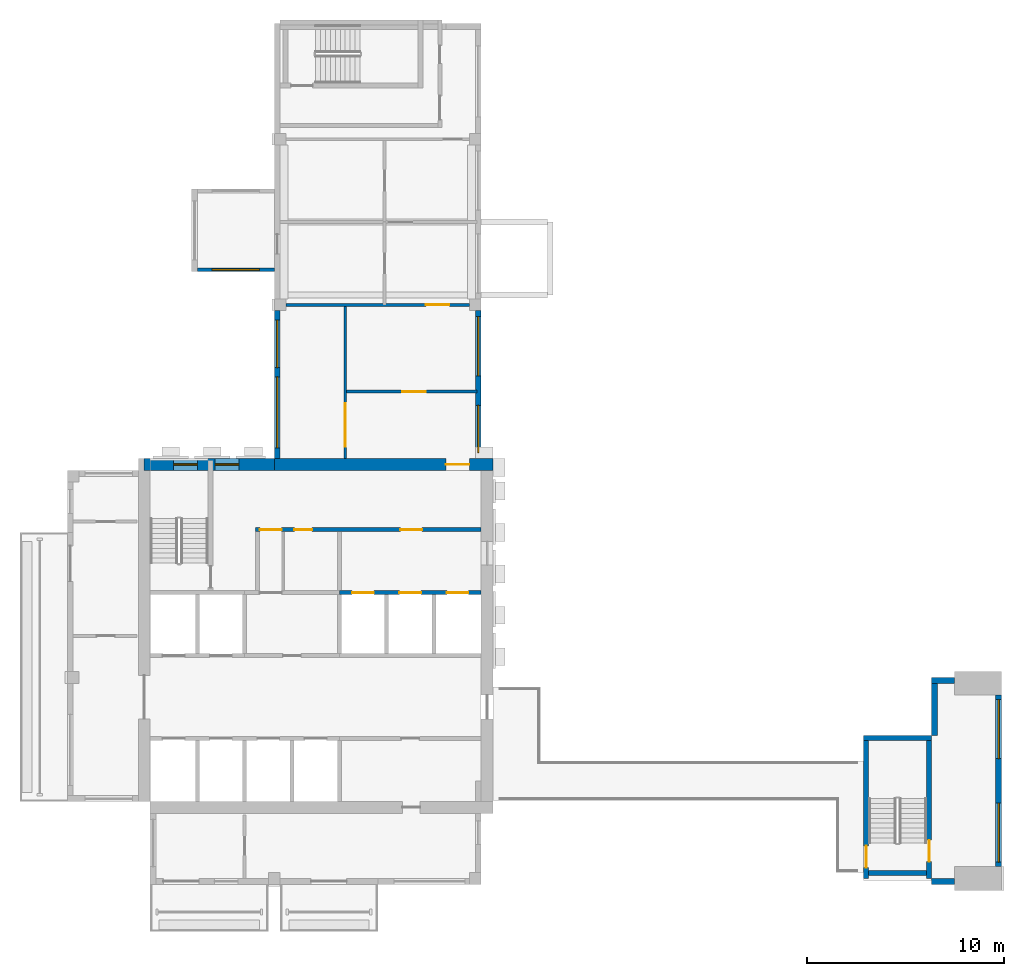
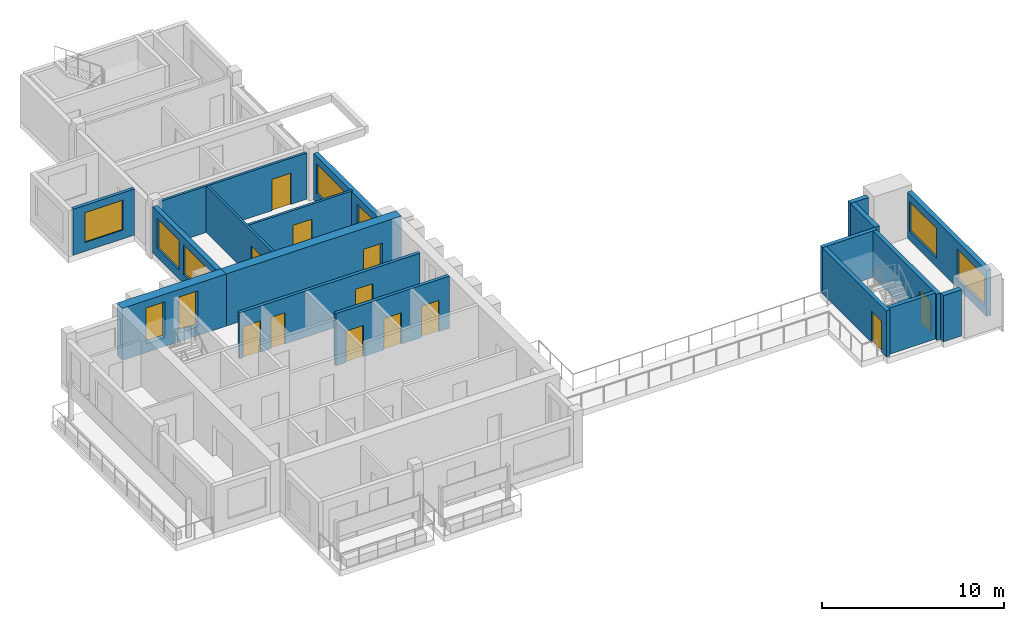
# One storey, part 3 of 8: 18 walls, 12 doors, 9 windows, 21 openings.
"""IFC4 building model written with IfcOpenShell, lengths in metres."""

from ifc_helpers import new_model, si_unit, direction, frame, frame_2d, origin, place, context, subcontext, project, spatial, rectangle, extrude, source, transform, mapped, material, layer, layer_set, type_object, element, fill, save


model = new_model("IFC4")

# Units and contexts
model_context = context("Model", 3, precision=1e-05, world=origin(), true_north=direction((0.0, 1.0)))
body_context = subcontext(model_context, "Body", "Model", "MODEL_VIEW")
ifc_project = project(units=[si_unit("LENGTHUNIT", "METRE"), si_unit("AREAUNIT", "SQUARE_METRE"), si_unit("VOLUMEUNIT", "CUBIC_METRE"), si_unit("PLANEANGLEUNIT", "RADIAN"), si_unit("MASSUNIT", "GRAM", prefix="KILO")], contexts=[model_context])

# Site, building, storey
site_placement = place(None, origin())
site = spatial("IfcSite", under=ifc_project, at=site_placement, CompositionType="ELEMENT")
building_placement = place(site_placement, origin())
building = spatial("IfcBuilding", under=site, at=building_placement, Name="Aurelian Terraces", CompositionType="ELEMENT")
storey_placement = place(building_placement, frame((0.0, 0.0, 347.5)))
storey = spatial("IfcBuildingStorey", under=building, at=storey_placement, Name="L82", CompositionType="ELEMENT", Elevation=347.5)

# Wall, opening, door
ifc_material_1 = material(Name="Concrete fc' 55 MPa", Category="concrete")
ifc_layer_1 = layer(ifc_material_1, 0.6)
ifc_layer_set_1 = layer_set([ifc_layer_1], Name="CORE WALL 600 FC55")
wall_type_1 = type_object("IfcWallType", Name="CORE WALL 600 FC55", PredefinedType="SHEAR", material=ifc_layer_set_1)
shared_shape_1 = source(origin(), body_context, "Body", "SweptSolid", [
    extrude(rectangle(XDim=11.1, YDim=0.6, at=frame_2d((5.55, 0.0))), origin(), (0.0, 0.0, 1.0), 3.5),
])
wall_1_placement = place(storey_placement, frame((10.5, 21.3, 0.0), z_axis=(0.0, 0.0, 1.0), x_axis=(1.0, 0.0, 0.0)))
wall_1 = element("IfcWall", 1, at=wall_1_placement, inside=storey, type_object=wall_type_1, Name="Core wall N L82", PredefinedType="SHEAR", context=body_context, shape_type="MappedRepresentation", body=[
    mapped(shared_shape_1, transform((0.0, 0.0, 0.0), scale=1.0)),
])
shared_shape_2 = source(origin(), body_context, "Body", "SweptSolid", [
    extrude(rectangle(XDim=1.2, YDim=2.1, at=frame_2d((0.6, 1.05))), frame((0.0, 0.31, 0.0), z_axis=(0.0, -1.0, 0.0), x_axis=(1.0, 0.0, 0.0)), (0.0, 0.0, 1.0), 0.62),
])
opening_1_placement = place(wall_1_placement, frame((8.7, 0.0, 0.0)))
opening_1 = element("IfcOpeningElement", 2, at=opening_1_placement, cuts=wall_1, Name="Opening 68522", PredefinedType="OPENING", context=body_context, shape_type="MappedRepresentation", body=[
    mapped(shared_shape_2, transform((0.0, 0.0, 0.0), scale=1.0)),
])
ifc_material_2 = material(Name="Steel door leaf", Category="steel")
door_type_1 = type_object("IfcDoorType", Name="Core fire door 1200x2100", OperationType="SINGLE_SWING_LEFT", PredefinedType="DOOR", material=ifc_material_2)
shared_shape_3 = source(origin(), body_context, "Body", "SweptSolid", [
    extrude(rectangle(XDim=1.2, YDim=2.1, at=frame_2d((0.6, 1.05))), frame((0.0, 0.025, 0.0), z_axis=(0.0, -1.0, 0.0), x_axis=(1.0, 0.0, 0.0)), (0.0, 0.0, 1.0), 0.05),
])
door_1_placement = place(opening_1_placement, origin())
door_1 = element("IfcDoor", 3, at=door_1_placement, inside=storey, type_object=door_type_1, Name="Core door 68522", OperationType="SINGLE_SWING_LEFT", OverallHeight=2.1, OverallWidth=1.2, PredefinedType="DOOR", context=body_context, shape_type="MappedRepresentation", body=[
    mapped(shared_shape_3, transform((0.0, 0.0, 0.0), scale=1.0)),
])
fill(opening_1, door_1)

# Wall, openings, windows
shared_shape_4 = source(origin(), body_context, "Body", "SweptSolid", [
    extrude(rectangle(XDim=6.6, YDim=0.6, at=frame_2d((3.3, 0.0))), origin(), (0.0, 0.0, 1.0), 3.5),
])
wall_2_placement = place(storey_placement, frame((3.9, 21.3, 0.0), z_axis=(0.0, 0.0, 1.0), x_axis=(1.0, 0.0, 0.0)))
wall_2 = element("IfcWall", 4, at=wall_2_placement, inside=storey, type_object=wall_type_1, Name="Core wall N L82 exposed", PredefinedType="SHEAR", context=body_context, shape_type="MappedRepresentation", body=[
    mapped(shared_shape_4, transform((0.0, 0.0, 0.0), scale=1.0)),
])
shared_shape_5 = source(origin(), body_context, "Body", "SweptSolid", [
    extrude(rectangle(XDim=1.2, YDim=2.4, at=frame_2d((0.6, 1.2))), frame((0.0, 0.31, 0.0), z_axis=(0.0, -1.0, 0.0), x_axis=(1.0, 0.0, 0.0)), (0.0, 0.0, 1.0), 0.62),
])
opening_2_placement = place(wall_2_placement, frame((1.5, 0.0, 0.6)))
opening_2 = element("IfcOpeningElement", 5, at=opening_2_placement, cuts=wall_2, Name="Opening W-CL", PredefinedType="OPENING", context=body_context, shape_type="MappedRepresentation", body=[
    mapped(shared_shape_5, transform((0.0, 0.0, 0.0), scale=1.0)),
])
opening_3_placement = place(wall_2_placement, frame((3.6, 0.0, 0.6)))
opening_3 = element("IfcOpeningElement", 6, at=opening_3_placement, cuts=wall_2, Name="Opening W-CL", PredefinedType="OPENING", context=body_context, shape_type="MappedRepresentation", body=[
    mapped(shared_shape_5, transform((0.0, 0.0, 0.0), scale=1.0)),
])
ifc_material_3 = material(Name="Fire-resisting glazing", Category="glass")
window_type_1 = type_object("IfcWindowType", Name="Core lobby window 1200x2400", PartitioningType="SINGLE_PANEL", PredefinedType="WINDOW", material=ifc_material_3)
shared_shape_6 = source(origin(), body_context, "Body", "SweptSolid", [
    extrude(rectangle(XDim=1.2, YDim=2.4, at=frame_2d((0.6, 1.2))), frame((0.0, 0.03, 0.0), z_axis=(0.0, -1.0, 0.0), x_axis=(1.0, 0.0, 0.0)), (0.0, 0.0, 1.0), 0.06),
])
window_1_placement = place(opening_2_placement, origin())
window_1 = element("IfcWindow", 7, at=window_1_placement, inside=storey, type_object=window_type_1, Name="Lobby window L82 N56", OverallHeight=2.4, OverallWidth=1.2, PartitioningType="SINGLE_PANEL", PredefinedType="WINDOW", context=body_context, shape_type="MappedRepresentation", body=[
    mapped(shared_shape_6, transform((0.0, 0.0, 0.0), scale=1.0)),
])
fill(opening_2, window_1)
window_2_placement = place(opening_3_placement, origin())
window_2 = element("IfcWindow", 8, at=window_2_placement, inside=storey, type_object=window_type_1, Name="Lobby window L82 N57", OverallHeight=2.4, OverallWidth=1.2, PartitioningType="SINGLE_PANEL", PredefinedType="WINDOW", context=body_context, shape_type="MappedRepresentation", body=[
    mapped(shared_shape_6, transform((0.0, 0.0, 0.0), scale=1.0)),
])
fill(opening_3, window_2)

# Wall, opening, window
ifc_material_4 = material(Name="Concrete fc' 40 MPa", Category="concrete")
ifc_layer_2 = layer(ifc_material_4, 0.2)
ifc_layer_set_2 = layer_set([ifc_layer_2], Name="BOX BEARING WALL 200")
wall_type_2 = type_object("IfcWallType", Name="BOX BEARING WALL 200", PredefinedType="SOLIDWALL", material=ifc_layer_set_2)
shared_shape_7 = source(origin(), body_context, "Body", "SweptSolid", [
    extrude(rectangle(XDim=3.9, YDim=0.2, at=frame_2d((1.95, 0.0))), origin(), (0.0, 0.0, 1.0), 3.09),
])
wall_3_placement = place(storey_placement, frame((10.5, 31.18, 0.0), z_axis=(0.0, 0.0, 1.0), x_axis=(-1.0, 0.0, 0.0)))
wall_3 = element("IfcWall", 9, at=wall_3_placement, inside=storey, type_object=wall_type_2, Name="Box return L82 J95.2", PredefinedType="SOLIDWALL", context=body_context, shape_type="MappedRepresentation", body=[
    mapped(shared_shape_7, transform((0.0, 0.0, 0.0), scale=1.0)),
])
shared_shape_8 = source(origin(), body_context, "Body", "SweptSolid", [
    extrude(rectangle(XDim=2.4, YDim=2.0, at=frame_2d((1.2, 1.0))), frame((0.0, 0.11, 0.0), z_axis=(0.0, -1.0, 0.0), x_axis=(1.0, 0.0, 0.0)), (0.0, 0.0, 1.0), 0.22),
])
opening_4_placement = place(wall_3_placement, frame((0.75, 0.0, 0.6)))
opening_4 = element("IfcOpeningElement", 10, at=opening_4_placement, cuts=wall_3, Name="Opening W2420", PredefinedType="OPENING", context=body_context, shape_type="MappedRepresentation", body=[
    mapped(shared_shape_8, transform((0.0, 0.0, 0.0), scale=1.0)),
])
ifc_material_5 = material(Name="Clear glazing", Category="glass")
window_type_2 = type_object("IfcWindowType", Name="W-2400x2000", PartitioningType="SINGLE_PANEL", PredefinedType="WINDOW", material=ifc_material_5)
shared_shape_9 = source(origin(), body_context, "Body", "SweptSolid", [
    extrude(rectangle(XDim=2.4, YDim=2.0, at=frame_2d((1.2, 1.0))), frame((0.0, 0.03, 0.0), z_axis=(0.0, -1.0, 0.0), x_axis=(1.0, 0.0, 0.0)), (0.0, 0.0, 1.0), 0.06),
])
window_3_placement = place(opening_4_placement, origin())
window_3 = element("IfcWindow", 11, at=window_3_placement, inside=storey, type_object=window_type_2, Name="Window L82 J95-S2", OverallHeight=2.0, OverallWidth=2.4, PartitioningType="SINGLE_PANEL", PredefinedType="WINDOW", context=body_context, shape_type="MappedRepresentation", body=[
    mapped(shared_shape_9, transform((0.0, 0.0, 0.0), scale=1.0)),
])
fill(opening_4, window_3)

# Wall, openings, windows
ifc_material_6 = material(Name="Terracotta rainscreen cladding", Category="masonry")
ifc_layer_3 = layer(ifc_material_6, 0.3)
ifc_layer_set_3 = layer_set([ifc_layer_3], Name="EW-300")
wall_type_3 = type_object("IfcWallType", Name="EW-300", PredefinedType="STANDARD", material=ifc_layer_set_3)
shared_shape_10 = source(origin(), body_context, "Body", "SweptSolid", [
    extrude(rectangle(XDim=7.5, YDim=0.3, at=frame_2d((3.75, 0.0))), origin(), (0.0, 0.0, 1.0), 3.1),
])
wall_4_placement = place(storey_placement, frame((20.85, 21.6, 0.0), z_axis=(0.0, 0.0, 1.0), x_axis=(0.0, 1.0, 0.0)))
wall_4 = element("IfcWall", 12, at=wall_4_placement, inside=storey, type_object=wall_type_3, Name="External wall L82 F02.7", PredefinedType="STANDARD", context=body_context, shape_type="MappedRepresentation", body=[
    mapped(shared_shape_10, transform((0.0, 0.0, 0.0), scale=1.0)),
])
shared_shape_11 = source(origin(), body_context, "Body", "SweptSolid", [
    extrude(rectangle(XDim=2.4, YDim=2.0, at=frame_2d((1.2, 1.0))), frame((0.0, 0.16, 0.0), z_axis=(0.0, -1.0, 0.0), x_axis=(1.0, 0.0, 0.0)), (0.0, 0.0, 1.0), 0.32),
])
opening_5_placement = place(wall_4_placement, frame((0.3, 0.0, 0.6)))
opening_5 = element("IfcOpeningElement", 13, at=opening_5_placement, cuts=wall_4, Name="Opening W2420", PredefinedType="OPENING", context=body_context, shape_type="MappedRepresentation", body=[
    mapped(shared_shape_11, transform((0.0, 0.0, 0.0), scale=1.0)),
])
shared_shape_12 = source(origin(), body_context, "Body", "SweptSolid", [
    extrude(rectangle(XDim=3.0, YDim=2.0, at=frame_2d((1.5, 1.0))), frame((0.0, 0.16, 0.0), z_axis=(0.0, -1.0, 0.0), x_axis=(1.0, 0.0, 0.0)), (0.0, 0.0, 1.0), 0.32),
])
opening_6_placement = place(wall_4_placement, frame((4.2, 0.0, 0.6)))
opening_6 = element("IfcOpeningElement", 14, at=opening_6_placement, cuts=wall_4, Name="Opening W3020", PredefinedType="OPENING", context=body_context, shape_type="MappedRepresentation", body=[
    mapped(shared_shape_12, transform((0.0, 0.0, 0.0), scale=1.0)),
])
window_type_3 = type_object("IfcWindowType", Name="W-3000x2000", PartitioningType="SINGLE_PANEL", PredefinedType="WINDOW", material=ifc_material_5)
shared_shape_13 = source(origin(), body_context, "Body", "SweptSolid", [
    extrude(rectangle(XDim=3.0, YDim=2.0, at=frame_2d((1.5, 1.0))), frame((0.0, 0.03, 0.0), z_axis=(0.0, -1.0, 0.0), x_axis=(1.0, 0.0, 0.0)), (0.0, 0.0, 1.0), 0.06),
])
window_4_placement = place(opening_6_placement, origin())
window_4 = element("IfcWindow", 15, at=window_4_placement, inside=storey, type_object=window_type_3, Name="Window L82 L82-F02-07-1", OverallHeight=2.0, OverallWidth=3.0, PartitioningType="SINGLE_PANEL", PredefinedType="WINDOW", context=body_context, shape_type="MappedRepresentation", body=[
    mapped(shared_shape_13, transform((0.0, 0.0, 0.0), scale=1.0)),
])
fill(opening_6, window_4)
window_5_placement = place(opening_5_placement, origin())
window_5 = element("IfcWindow", 16, at=window_5_placement, inside=storey, type_object=window_type_2, Name="Window L82 L82-F02-07-0", OverallHeight=2.0, OverallWidth=2.4, PartitioningType="SINGLE_PANEL", PredefinedType="WINDOW", context=body_context, shape_type="MappedRepresentation", body=[
    mapped(shared_shape_9, transform((0.0, 0.0, 0.0), scale=1.0)),
])
fill(opening_5, window_5)

wall_5_placement = place(storey_placement, frame((10.65, 29.1, 0.0), z_axis=(0.0, 0.0, 1.0), x_axis=(0.0, -1.0, 0.0)))
wall_5 = element("IfcWall", 17, at=wall_5_placement, inside=storey, type_object=wall_type_3, Name="External wall L82 F04.11", PredefinedType="STANDARD", context=body_context, shape_type="MappedRepresentation", body=[
    mapped(shared_shape_10, transform((0.0, 0.0, 0.0), scale=1.0)),
])
shared_shape_14 = source(origin(), body_context, "Body", "SweptSolid", [
    extrude(rectangle(XDim=3.6, YDim=2.0, at=frame_2d((1.8, 1.0))), frame((0.0, 0.16, 0.0), z_axis=(0.0, -1.0, 0.0), x_axis=(1.0, 0.0, 0.0)), (0.0, 0.0, 1.0), 0.32),
])
opening_7_placement = place(wall_5_placement, frame((3.36, 0.0, 0.6)))
opening_7 = element("IfcOpeningElement", 18, at=opening_7_placement, cuts=wall_5, Name="Opening W3620", PredefinedType="OPENING", context=body_context, shape_type="MappedRepresentation", body=[
    mapped(shared_shape_14, transform((0.0, 0.0, 0.0), scale=1.0)),
])
opening_8_placement = place(wall_5_placement, frame((0.48, 0.0, 0.6)))
opening_8 = element("IfcOpeningElement", 19, at=opening_8_placement, cuts=wall_5, Name="Opening W2420", PredefinedType="OPENING", context=body_context, shape_type="MappedRepresentation", body=[
    mapped(shared_shape_11, transform((0.0, 0.0, 0.0), scale=1.0)),
])
window_6_placement = place(opening_8_placement, origin())
window_6 = element("IfcWindow", 20, at=window_6_placement, inside=storey, type_object=window_type_2, Name="Window L82 L82-F04-11-G2-146", OverallHeight=2.0, OverallWidth=2.4, PartitioningType="SINGLE_PANEL", PredefinedType="WINDOW", context=body_context, shape_type="MappedRepresentation", body=[
    mapped(shared_shape_9, transform((0.0, 0.0, 0.0), scale=1.0)),
])
fill(opening_8, window_6)
window_type_4 = type_object("IfcWindowType", Name="W-3600x2000", PartitioningType="SINGLE_PANEL", PredefinedType="WINDOW", material=ifc_material_5)
shared_shape_15 = source(origin(), body_context, "Body", "SweptSolid", [
    extrude(rectangle(XDim=3.6, YDim=2.0, at=frame_2d((1.8, 1.0))), frame((0.0, 0.03, 0.0), z_axis=(0.0, -1.0, 0.0), x_axis=(1.0, 0.0, 0.0)), (0.0, 0.0, 1.0), 0.06),
])
window_7_placement = place(opening_7_placement, origin())
window_7 = element("IfcWindow", 21, at=window_7_placement, inside=storey, type_object=window_type_4, Name="Window L82 L82-F04-11-4", OverallHeight=2.0, OverallWidth=3.6, PartitioningType="SINGLE_PANEL", PredefinedType="WINDOW", context=body_context, shape_type="MappedRepresentation", body=[
    mapped(shared_shape_15, transform((0.0, 0.0, 0.0), scale=1.0)),
])
fill(opening_7, window_7)

shared_shape_16 = source(origin(), body_context, "Body", "SweptSolid", [
    extrude(rectangle(XDim=8.7, YDim=0.3, at=frame_2d((4.35, 0.0))), origin(), (0.0, 0.0, 1.0), 3.1),
])
wall_6_placement = place(storey_placement, frame((47.25, 0.9, 0.0), z_axis=(0.0, 0.0, 1.0), x_axis=(0.0, 1.0, 0.0)))
wall_6 = element("IfcWall", 22, at=wall_6_placement, inside=storey, type_object=wall_type_3, Name="External wall L82 F14.23", PredefinedType="STANDARD", context=body_context, shape_type="MappedRepresentation", body=[
    mapped(shared_shape_16, transform((0.0, 0.0, 0.0), scale=1.0)),
])
opening_9_placement = place(wall_6_placement, frame((0.225, 0.0, 0.6)))
opening_9 = element("IfcOpeningElement", 23, at=opening_9_placement, cuts=wall_6, Name="Opening W3020", PredefinedType="OPENING", context=body_context, shape_type="MappedRepresentation", body=[
    mapped(shared_shape_12, transform((0.0, 0.0, 0.0), scale=1.0)),
])
opening_10_placement = place(wall_6_placement, frame((5.475, 0.0, 0.6)))
opening_10 = element("IfcOpeningElement", 24, at=opening_10_placement, cuts=wall_6, Name="Opening W3020", PredefinedType="OPENING", context=body_context, shape_type="MappedRepresentation", body=[
    mapped(shared_shape_12, transform((0.0, 0.0, 0.0), scale=1.0)),
])
window_8_placement = place(opening_9_placement, origin())
window_8 = element("IfcWindow", 25, at=window_8_placement, inside=storey, type_object=window_type_3, Name="Window L82 L82-F14-23-0", OverallHeight=2.0, OverallWidth=3.0, PartitioningType="SINGLE_PANEL", PredefinedType="WINDOW", context=body_context, shape_type="MappedRepresentation", body=[
    mapped(shared_shape_13, transform((0.0, 0.0, 0.0), scale=1.0)),
])
fill(opening_9, window_8)
window_9_placement = place(opening_10_placement, origin())
window_9 = element("IfcWindow", 26, at=window_9_placement, inside=storey, type_object=window_type_3, Name="Window L82 L82-F14-23-1", OverallHeight=2.0, OverallWidth=3.0, PartitioningType="SINGLE_PANEL", PredefinedType="WINDOW", context=body_context, shape_type="MappedRepresentation", body=[
    mapped(shared_shape_13, transform((0.0, 0.0, 0.0), scale=1.0)),
])
fill(opening_10, window_9)

# Walls
shared_shape_17 = source(origin(), body_context, "Body", "SweptSolid", [
    extrude(rectangle(XDim=1.15, YDim=0.3, at=frame_2d((0.575, 0.0))), origin(), (0.0, 0.0, 1.0), 3.1),
])
for number, where, z_axis, x_axis, name in (
    (27, (43.85, 0.15, 0.0), (0.0, 0.0, 1.0), (1.0, 0.0, 0.0), "External wall L82 F13.21"),
    (28, (45.0, 10.35, 0.0), (0.0, 0.0, 1.0), (-1.0, 0.0, 0.0), "External wall L82 F15.24"),
):
    element("IfcWall", number, at=place(storey_placement, frame(where, z_axis=z_axis, x_axis=x_axis)), inside=storey, type_object=wall_type_3, Name=name, PredefinedType="STANDARD", context=body_context, shape_type="MappedRepresentation", body=[
        mapped(shared_shape_17, transform((0.0, 0.0, 0.0), scale=1.0)),
    ])
shared_shape_18 = source(origin(), body_context, "Body", "SweptSolid", [
    extrude(rectangle(XDim=2.95, YDim=0.3, at=frame_2d((1.475, 0.0))), origin(), (0.0, 0.0, 1.0), 3.1),
])
wall_7_placement = place(storey_placement, frame((44.0, 10.5, 0.0), z_axis=(0.0, 0.0, 1.0), x_axis=(0.0, -1.0, 0.0)))
element("IfcWall", 29, at=wall_7_placement, inside=storey, type_object=wall_type_3, Name="External wall L82 F16.25", PredefinedType="STANDARD", context=body_context, shape_type="MappedRepresentation", body=[
    mapped(shared_shape_18, transform((0.0, 0.0, 0.0), scale=1.0)),
])

# Wall, openings, doors
ifc_layer_4 = layer(ifc_material_4, 0.2)
ifc_layer_set_4 = layer_set([ifc_layer_4], Name="Lift shaft wall 200")
wall_type_4 = type_object("IfcWallType", Name="Lift shaft wall 200", PredefinedType="SOLIDWALL", material=ifc_layer_set_4)
shared_shape_19 = source(origin(), body_context, "Body", "SweptSolid", [
    extrude(rectangle(XDim=7.2, YDim=0.2, at=frame_2d((3.6, 0.0))), origin(), (0.0, 0.0, 1.0), 3.5),
])
wall_8_placement = place(storey_placement, frame((13.8, 14.8, 0.0), z_axis=(0.0, 0.0, 1.0), x_axis=(1.0, 0.0, 0.0)))
wall_8 = element("IfcWall", 30, at=wall_8_placement, inside=storey, type_object=wall_type_4, Name="L82 core wall CF-BB3", PredefinedType="SOLIDWALL", context=body_context, shape_type="MappedRepresentation", body=[
    mapped(shared_shape_19, transform((0.0, 0.0, 0.0), scale=1.0)),
])
shared_shape_20 = source(origin(), body_context, "Body", "SweptSolid", [
    extrude(rectangle(XDim=1.1, YDim=2.1, at=frame_2d((0.55, 1.05))), frame((0.0, 0.11, 0.0), z_axis=(0.0, -1.0, 0.0), x_axis=(1.0, 0.0, 0.0)), (0.0, 0.0, 1.0), 0.22),
])
opening_11_placement = place(wall_8_placement, frame((0.65, 0.0, 0.0)))
opening_11 = element("IfcOpeningElement", 31, at=opening_11_placement, cuts=wall_8, Name="Opening 68509", PredefinedType="OPENING", context=body_context, shape_type="MappedRepresentation", body=[
    mapped(shared_shape_20, transform((0.0, 0.0, 0.0), scale=1.0)),
])
opening_12_placement = place(wall_8_placement, frame((3.05, 0.0, 0.0)))
opening_12 = element("IfcOpeningElement", 32, at=opening_12_placement, cuts=wall_8, Name="Opening 68510", PredefinedType="OPENING", context=body_context, shape_type="MappedRepresentation", body=[
    mapped(shared_shape_20, transform((0.0, 0.0, 0.0), scale=1.0)),
])
opening_13_placement = place(wall_8_placement, frame((5.45, 0.0, 0.0)))
opening_13 = element("IfcOpeningElement", 33, at=opening_13_placement, cuts=wall_8, Name="Opening 68511", PredefinedType="OPENING", context=body_context, shape_type="MappedRepresentation", body=[
    mapped(shared_shape_20, transform((0.0, 0.0, 0.0), scale=1.0)),
])
ifc_material_7 = material(Name="Stainless steel", Category="steel")
door_type_2 = type_object("IfcDoorType", Name="Lift landing door 1100x2100", OperationType="SLIDING_TO_LEFT", PredefinedType="DOOR", material=ifc_material_7)
shared_shape_21 = source(origin(), body_context, "Body", "SweptSolid", [
    extrude(rectangle(XDim=1.1, YDim=2.1, at=frame_2d((0.55, 1.05))), frame((0.0, 0.025, 0.0), z_axis=(0.0, -1.0, 0.0), x_axis=(1.0, 0.0, 0.0)), (0.0, 0.0, 1.0), 0.05),
])
door_2_placement = place(opening_11_placement, origin())
door_2 = element("IfcDoor", 34, at=door_2_placement, inside=storey, type_object=door_type_2, Name="Lift landing door F1 L82", OperationType="SLIDING_TO_LEFT", OverallHeight=2.1, OverallWidth=1.1, PredefinedType="DOOR", context=body_context, shape_type="MappedRepresentation", body=[
    mapped(shared_shape_21, transform((0.0, 0.0, 0.0), scale=1.0)),
])
fill(opening_11, door_2)
door_3_placement = place(opening_12_placement, origin())
door_3 = element("IfcDoor", 35, at=door_3_placement, inside=storey, type_object=door_type_2, Name="Lift landing door F2 L82", OperationType="SLIDING_TO_LEFT", OverallHeight=2.1, OverallWidth=1.1, PredefinedType="DOOR", context=body_context, shape_type="MappedRepresentation", body=[
    mapped(shared_shape_21, transform((0.0, 0.0, 0.0), scale=1.0)),
])
fill(opening_12, door_3)
door_4_placement = place(opening_13_placement, origin())
door_4 = element("IfcDoor", 36, at=door_4_placement, inside=storey, type_object=door_type_2, Name="Lift landing door F3 L82", OperationType="SLIDING_TO_LEFT", OverallHeight=2.1, OverallWidth=1.1, PredefinedType="DOOR", context=body_context, shape_type="MappedRepresentation", body=[
    mapped(shared_shape_21, transform((0.0, 0.0, 0.0), scale=1.0)),
])
fill(opening_13, door_4)

# Wall, opening, door
ifc_layer_5 = layer(ifc_material_4, 0.25)
ifc_layer_set_5 = layer_set([ifc_layer_5], Name="Stair enclosure wall 250")
wall_type_5 = type_object("IfcWallType", Name="Stair enclosure wall 250", PredefinedType="SOLIDWALL", material=ifc_layer_set_5)
shared_shape_22 = source(origin(), body_context, "Body", "SweptSolid", [
    extrude(rectangle(XDim=7.0, YDim=0.25, at=frame_2d((3.5, 0.0))), origin(), (0.0, 0.0, 1.0), 3.1),
])
wall_9_placement = place(storey_placement, frame((40.525, 0.3, 0.0), z_axis=(0.0, 0.0, 1.0), x_axis=(0.0, 1.0, 0.0)))
wall_9 = element("IfcWall", 37, at=wall_9_placement, inside=storey, type_object=wall_type_5, Name="L82 core wall ST-S2-W", PredefinedType="SOLIDWALL", context=body_context, shape_type="MappedRepresentation", body=[
    mapped(shared_shape_22, transform((0.0, 0.0, 0.0), scale=1.0)),
])
shared_shape_23 = source(origin(), body_context, "Body", "SweptSolid", [
    extrude(rectangle(XDim=1.1, YDim=2.1, at=frame_2d((0.55, 1.05))), frame((0.0, 0.135, 0.0), z_axis=(0.0, -1.0, 0.0), x_axis=(1.0, 0.0, 0.0)), (0.0, 0.0, 1.0), 0.27),
])
opening_14_placement = place(wall_9_placement, frame((0.55, 0.0, 0.0)))
opening_14 = element("IfcOpeningElement", 38, at=opening_14_placement, cuts=wall_9, Name="Opening 68516", PredefinedType="OPENING", context=body_context, shape_type="MappedRepresentation", body=[
    mapped(shared_shape_23, transform((0.0, 0.0, 0.0), scale=1.0)),
])
door_type_3 = type_object("IfcDoorType", Name="Core fire door 1100x2100 right", OperationType="SINGLE_SWING_RIGHT", PredefinedType="DOOR", material=ifc_material_2)
door_5_placement = place(opening_14_placement, origin())
door_5 = element("IfcDoor", 39, at=door_5_placement, inside=storey, type_object=door_type_3, Name="Stair door 68516", OperationType="SINGLE_SWING_RIGHT", OverallHeight=2.1, OverallWidth=1.1, PredefinedType="DOOR", context=body_context, shape_type="MappedRepresentation", body=[
    mapped(shared_shape_21, transform((0.0, 0.0, 0.0), scale=1.0)),
])
fill(opening_14, door_5)

wall_10_placement = place(storey_placement, frame((43.725, 0.3, 0.0), z_axis=(0.0, 0.0, 1.0), x_axis=(0.0, 1.0, 0.0)))
wall_10 = element("IfcWall", 40, at=wall_10_placement, inside=storey, type_object=wall_type_5, Name="L82 core wall ST-S2-E", PredefinedType="SOLIDWALL", context=body_context, shape_type="MappedRepresentation", body=[
    mapped(shared_shape_22, transform((0.0, 0.0, 0.0), scale=1.0)),
])
opening_15_placement = place(wall_10_placement, frame((0.85, 0.0, 0.0)))
opening_15 = element("IfcOpeningElement", 41, at=opening_15_placement, cuts=wall_10, Name="Opening 68517", PredefinedType="OPENING", context=body_context, shape_type="MappedRepresentation", body=[
    mapped(shared_shape_23, transform((0.0, 0.0, 0.0), scale=1.0)),
])
door_type_4 = type_object("IfcDoorType", Name="Core fire door 1100x2100", OperationType="SINGLE_SWING_LEFT", PredefinedType="DOOR", material=ifc_material_2)
door_6_placement = place(opening_15_placement, origin())
door_6 = element("IfcDoor", 42, at=door_6_placement, inside=storey, type_object=door_type_4, Name="Room door 68517", OperationType="SINGLE_SWING_LEFT", OverallHeight=2.1, OverallWidth=1.1, PredefinedType="DOOR", context=body_context, shape_type="MappedRepresentation", body=[
    mapped(shared_shape_21, transform((0.0, 0.0, 0.0), scale=1.0)),
])
fill(opening_15, door_6)

# Wall
shared_shape_24 = source(origin(), body_context, "Body", "SweptSolid", [
    extrude(rectangle(XDim=3.45, YDim=0.25, at=frame_2d((1.725, 0.0))), origin(), (0.0, 0.0, 1.0), 3.1),
])
wall_11_placement = place(storey_placement, frame((40.4, 7.425, 0.0), z_axis=(0.0, 0.0, 1.0), x_axis=(1.0, 0.0, 0.0)))
element("IfcWall", 43, at=wall_11_placement, inside=storey, type_object=wall_type_5, Name="L82 core wall ST-S2-N", PredefinedType="SOLIDWALL", context=body_context, shape_type="MappedRepresentation", body=[
    mapped(shared_shape_24, transform((0.0, 0.0, 0.0), scale=1.0)),
])

# Wall, openings, doors
ifc_material_8 = material(Name="Gypsum board on steel studs", Category="steel")
ifc_layer_6 = layer(ifc_material_8, 0.2)
ifc_layer_set_6 = layer_set([ifc_layer_6], Name="Core partition 200")
wall_type_6 = type_object("IfcWallType", Name="Core partition 200", PredefinedType="PARTITIONING", material=ifc_layer_set_6)
shared_shape_25 = source(origin(), body_context, "Body", "SweptSolid", [
    extrude(rectangle(XDim=11.45, YDim=0.2, at=frame_2d((5.725, 0.0))), origin(), (0.0, 0.0, 1.0), 3.1),
])
wall_12_placement = place(storey_placement, frame((9.55, 18.0, 0.0), z_axis=(0.0, 0.0, 1.0), x_axis=(1.0, 0.0, 0.0)))
wall_12 = element("IfcWall", 44, at=wall_12_placement, inside=storey, type_object=wall_type_6, Name="L82 core wall CP-NORTH", PredefinedType="PARTITIONING", context=body_context, shape_type="MappedRepresentation", body=[
    mapped(shared_shape_25, transform((0.0, 0.0, 0.0), scale=1.0)),
])
opening_16_placement = place(wall_12_placement, frame((0.225, 0.0, 0.0)))
opening_16 = element("IfcOpeningElement", 45, at=opening_16_placement, cuts=wall_12, Name="Opening 68513", PredefinedType="OPENING", context=body_context, shape_type="MappedRepresentation", body=[
    mapped(shared_shape_20, transform((0.0, 0.0, 0.0), scale=1.0)),
])
shared_shape_26 = source(origin(), body_context, "Body", "SweptSolid", [
    extrude(rectangle(XDim=0.9, YDim=2.1, at=frame_2d((0.45, 1.05))), frame((0.0, 0.11, 0.0), z_axis=(0.0, -1.0, 0.0), x_axis=(1.0, 0.0, 0.0)), (0.0, 0.0, 1.0), 0.22),
])
opening_17_placement = place(wall_12_placement, frame((1.975, 0.0, 0.0)))
opening_17 = element("IfcOpeningElement", 46, at=opening_17_placement, cuts=wall_12, Name="Opening 68514", PredefinedType="OPENING", context=body_context, shape_type="MappedRepresentation", body=[
    mapped(shared_shape_26, transform((0.0, 0.0, 0.0), scale=1.0)),
])
opening_18_placement = place(wall_12_placement, frame((7.35, 0.0, 0.0)))
opening_18 = element("IfcOpeningElement", 47, at=opening_18_placement, cuts=wall_12, Name="Opening 68515", PredefinedType="OPENING", context=body_context, shape_type="MappedRepresentation", body=[
    mapped(shared_shape_20, transform((0.0, 0.0, 0.0), scale=1.0)),
])
door_type_5 = type_object("IfcDoorType", Name="Core service door 900x2100 right", OperationType="SINGLE_SWING_RIGHT", PredefinedType="DOOR", material=ifc_material_2)
shared_shape_27 = source(origin(), body_context, "Body", "SweptSolid", [
    extrude(rectangle(XDim=0.9, YDim=2.1, at=frame_2d((0.45, 1.05))), frame((0.0, 0.025, 0.0), z_axis=(0.0, -1.0, 0.0), x_axis=(1.0, 0.0, 0.0)), (0.0, 0.0, 1.0), 0.05),
])
door_7_placement = place(opening_17_placement, origin())
door_7 = element("IfcDoor", 48, at=door_7_placement, inside=storey, type_object=door_type_5, Name="Room door 68514", OperationType="SINGLE_SWING_RIGHT", OverallHeight=2.1, OverallWidth=0.9, PredefinedType="DOOR", context=body_context, shape_type="MappedRepresentation", body=[
    mapped(shared_shape_27, transform((0.0, 0.0, 0.0), scale=1.0)),
])
fill(opening_17, door_7)
door_type_6 = type_object("IfcDoorType", Name="Core service door 1100x2100", OperationType="SINGLE_SWING_LEFT", PredefinedType="DOOR", material=ifc_material_2)
door_8_placement = place(opening_16_placement, origin())
door_8 = element("IfcDoor", 49, at=door_8_placement, inside=storey, type_object=door_type_6, Name="Room door 68513", OperationType="SINGLE_SWING_LEFT", OverallHeight=2.1, OverallWidth=1.1, PredefinedType="DOOR", context=body_context, shape_type="MappedRepresentation", body=[
    mapped(shared_shape_21, transform((0.0, 0.0, 0.0), scale=1.0)),
])
fill(opening_16, door_8)
door_9_placement = place(opening_18_placement, origin())
door_9 = element("IfcDoor", 50, at=door_9_placement, inside=storey, type_object=door_type_4, Name="Ff lobby door 68515", OperationType="SINGLE_SWING_LEFT", OverallHeight=2.1, OverallWidth=1.1, PredefinedType="DOOR", context=body_context, shape_type="MappedRepresentation", body=[
    mapped(shared_shape_21, transform((0.0, 0.0, 0.0), scale=1.0)),
])
fill(opening_18, door_9)

# Wall
shared_shape_28 = source(origin(), body_context, "Body", "SweptSolid", [
    extrude(rectangle(XDim=2.95, YDim=0.25, at=frame_2d((1.475, 0.0))), origin(), (0.0, 0.0, 1.0), 3.1),
])
wall_13_placement = place(storey_placement, frame((40.65, 0.575, 0.0), z_axis=(0.0, 0.0, 1.0), x_axis=(1.0, 0.0, 0.0)))
element("IfcWall", 51, at=wall_13_placement, inside=storey, type_object=wall_type_5, Name="L82 core wall ST-S2-SS", PredefinedType="SOLIDWALL", context=body_context, shape_type="MappedRepresentation", body=[
    mapped(shared_shape_28, transform((0.0, 0.0, 0.0), scale=1.0)),
])

# Wall, opening, door
ifc_layer_7 = layer(ifc_material_8, 0.15)
ifc_layer_set_7 = layer_set([ifc_layer_7], Name="Partition 150")
wall_type_7 = type_object("IfcWallType", Name="Partition 150", PredefinedType="PARTITIONING", material=ifc_layer_set_7)
shared_shape_29 = source(origin(), body_context, "Body", "SweptSolid", [
    extrude(rectangle(XDim=7.725, YDim=0.15, at=frame_2d((3.8625, 0.0))), origin(), (0.0, 0.0, 1.0), 3.1),
])
wall_14_placement = place(storey_placement, frame((14.1, 29.325, 0.0), z_axis=(0.0, 0.0, 1.0), x_axis=(0.0, -1.0, 0.0)))
wall_14 = element("IfcWall", 52, at=wall_14_placement, inside=storey, type_object=wall_type_7, Name="Partition", PredefinedType="PARTITIONING", context=body_context, shape_type="MappedRepresentation", body=[
    mapped(shared_shape_29, transform((0.0, 0.0, 0.0), scale=1.0)),
])
shared_shape_30 = source(origin(), body_context, "Body", "SweptSolid", [
    extrude(rectangle(XDim=2.2, YDim=2.1, at=frame_2d((1.1, 1.05))), frame((0.0, 0.085, 0.0), z_axis=(0.0, -1.0, 0.0), x_axis=(1.0, 0.0, 0.0)), (0.0, 0.0, 1.0), 0.17),
])
opening_19_placement = place(wall_14_placement, frame((4.925, 0.0, 0.0)))
opening_19 = element("IfcOpeningElement", 53, at=opening_19_placement, cuts=wall_14, Name="Opening 782004", PredefinedType="OPENING", context=body_context, shape_type="MappedRepresentation", body=[
    mapped(shared_shape_30, transform((0.0, 0.0, 0.0), scale=1.0)),
])
ifc_material_9 = material(Name="Timber door leaf", Category="wood")
door_type_7 = type_object("IfcDoorType", Name="Double room door 2200x2100", OperationType="DOUBLE_DOOR_SINGLE_SWING", PredefinedType="DOOR", material=ifc_material_9)
shared_shape_31 = source(origin(), body_context, "Body", "SweptSolid", [
    extrude(rectangle(XDim=2.2, YDim=2.1, at=frame_2d((1.1, 1.05))), frame((0.0, 0.025, 0.0), z_axis=(0.0, -1.0, 0.0), x_axis=(1.0, 0.0, 0.0)), (0.0, 0.0, 1.0), 0.05),
])
door_10_placement = place(opening_19_placement, origin())
door_10 = element("IfcDoor", 54, at=door_10_placement, inside=storey, type_object=door_type_7, Name="Door 782004", OperationType="DOUBLE_DOOR_SINGLE_SWING", OverallHeight=2.1, OverallWidth=2.2, PredefinedType="DOOR", context=body_context, shape_type="MappedRepresentation", body=[
    mapped(shared_shape_31, transform((0.0, 0.0, 0.0), scale=1.0)),
])
fill(opening_19, door_10)

shared_shape_32 = source(origin(), body_context, "Body", "SweptSolid", [
    extrude(rectangle(XDim=9.302, YDim=0.15, at=frame_2d((4.651, 0.0))), origin(), (0.0, 0.0, 1.0), 3.1),
])
wall_15_placement = place(storey_placement, frame((11.099, 29.4, 0.0), z_axis=(0.0, 0.0, 1.0), x_axis=(1.0, 0.0, 0.0)))
wall_15 = element("IfcWall", 55, at=wall_15_placement, inside=storey, type_object=wall_type_7, Name="Partition", PredefinedType="PARTITIONING", context=body_context, shape_type="MappedRepresentation", body=[
    mapped(shared_shape_32, transform((0.0, 0.0, 0.0), scale=1.0)),
])
shared_shape_33 = source(origin(), body_context, "Body", "SweptSolid", [
    extrude(rectangle(XDim=1.2, YDim=2.1, at=frame_2d((0.6, 1.05))), frame((0.0, 0.085, 0.0), z_axis=(0.0, -1.0, 0.0), x_axis=(1.0, 0.0, 0.0)), (0.0, 0.0, 1.0), 0.17),
])
opening_20_placement = place(wall_15_placement, frame((7.0885, 0.0, 0.0)))
opening_20 = element("IfcOpeningElement", 56, at=opening_20_placement, cuts=wall_15, Name="Opening 782007", PredefinedType="OPENING", context=body_context, shape_type="MappedRepresentation", body=[
    mapped(shared_shape_33, transform((0.0, 0.0, 0.0), scale=1.0)),
])
door_type_8 = type_object("IfcDoorType", Name="Room door 1200x2100 right", OperationType="SINGLE_SWING_RIGHT", PredefinedType="DOOR", material=ifc_material_9)
door_11_placement = place(opening_20_placement, origin())
door_11 = element("IfcDoor", 57, at=door_11_placement, inside=storey, type_object=door_type_8, Name="Door 782007", OperationType="SINGLE_SWING_RIGHT", OverallHeight=2.1, OverallWidth=1.2, PredefinedType="DOOR", context=body_context, shape_type="MappedRepresentation", body=[
    mapped(shared_shape_3, transform((0.0, 0.0, 0.0), scale=1.0)),
])
fill(opening_20, door_11)

shared_shape_34 = source(origin(), body_context, "Body", "SweptSolid", [
    extrude(rectangle(XDim=6.62, YDim=0.15, at=frame_2d((3.31, 0.0))), origin(), (0.0, 0.0, 1.0), 3.1),
])
wall_16_placement = place(storey_placement, frame((14.175, 25.0, 0.0), z_axis=(0.0, 0.0, 1.0), x_axis=(1.0, 0.0, 0.0)))
wall_16 = element("IfcWall", 58, at=wall_16_placement, inside=storey, type_object=wall_type_7, Name="Partition", PredefinedType="PARTITIONING", context=body_context, shape_type="MappedRepresentation", body=[
    mapped(shared_shape_34, transform((0.0, 0.0, 0.0), scale=1.0)),
])
opening_21_placement = place(wall_16_placement, frame((2.8125, 0.0, 0.0)))
opening_21 = element("IfcOpeningElement", 59, at=opening_21_placement, cuts=wall_16, Name="Opening 782009", PredefinedType="OPENING", context=body_context, shape_type="MappedRepresentation", body=[
    mapped(shared_shape_33, transform((0.0, 0.0, 0.0), scale=1.0)),
])
door_type_9 = type_object("IfcDoorType", Name="Room door 1200x2100 left", OperationType="SINGLE_SWING_LEFT", PredefinedType="DOOR", material=ifc_material_9)
door_12_placement = place(opening_21_placement, origin())
door_12 = element("IfcDoor", 60, at=door_12_placement, inside=storey, type_object=door_type_9, Name="Door 782009", OperationType="SINGLE_SWING_LEFT", OverallHeight=2.1, OverallWidth=1.2, PredefinedType="DOOR", context=body_context, shape_type="MappedRepresentation", body=[
    mapped(shared_shape_3, transform((0.0, 0.0, 0.0), scale=1.0)),
])
fill(opening_21, door_12)

save(model, "model.ifc")
